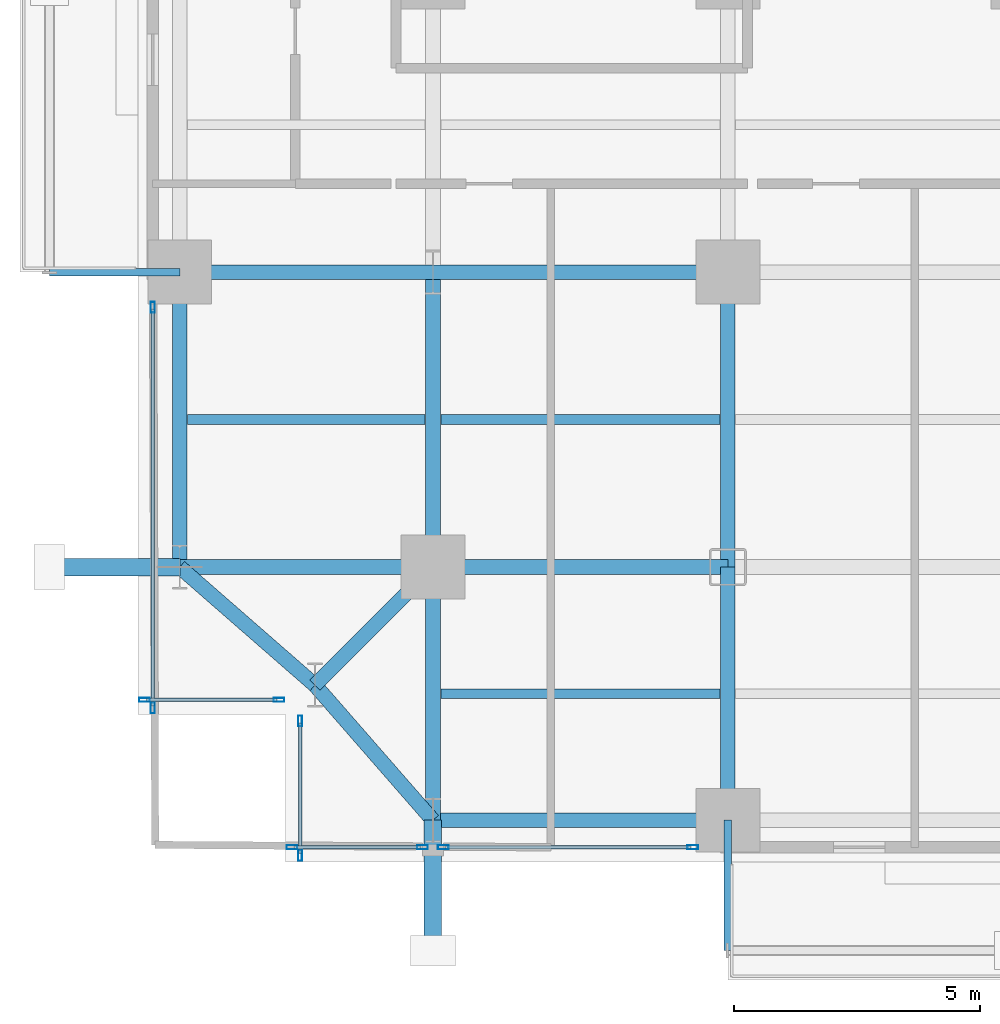
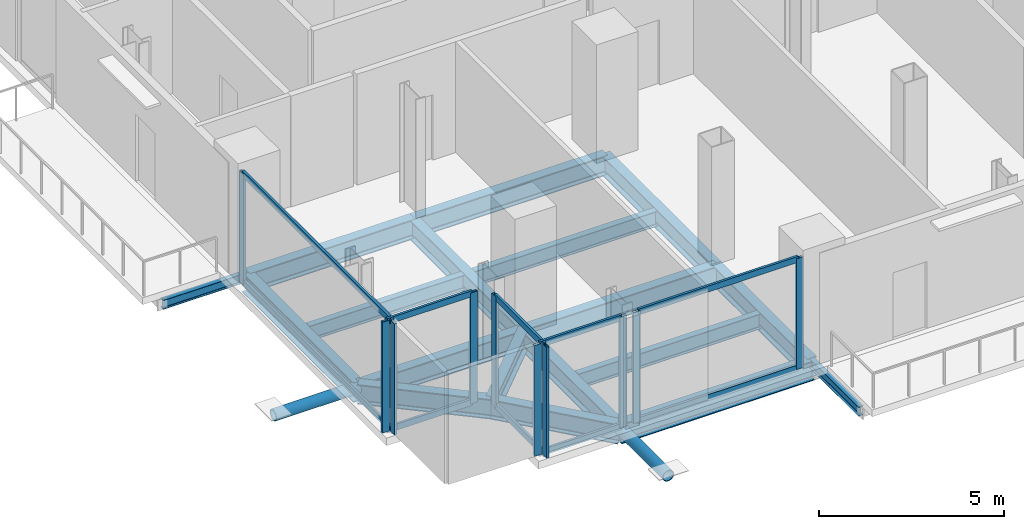
# One storey, part 2 of 25: 22 members, 18 beams, 5 elements without a shape of their own.
"""IFC4 building model written with IfcOpenShell, lengths in metres."""

from ifc_helpers import new_model, si_unit, direction, frame, origin, origin_2d, place, context, subcontext, project, spatial, hollow_rectangle, hollow_circle, i_section, extrude, material, layer, layer_set, material_profile, profile_set, type_object, element, aggregate, save


model = new_model("IFC4")

# Units and contexts
model_context = context("Model", 3, precision=1e-05, world=origin(), true_north=direction((0.0, 1.0)))
body_context = subcontext(model_context, "Body", "Model", "MODEL_VIEW")
ifc_project = project(units=[si_unit("LENGTHUNIT", "METRE"), si_unit("AREAUNIT", "SQUARE_METRE"), si_unit("VOLUMEUNIT", "CUBIC_METRE"), si_unit("PLANEANGLEUNIT", "RADIAN"), si_unit("MASSUNIT", "GRAM", prefix="KILO"), si_unit("THERMODYNAMICTEMPERATUREUNIT", "KELVIN"), si_unit("POWERUNIT", "WATT")], contexts=[model_context])

# Site, building, storey
site_placement = place(None, origin())
site = spatial("IfcSite", under=ifc_project, at=site_placement, CompositionType="ELEMENT")
building_placement = place(site_placement, origin())
building = spatial("IfcBuilding", under=site, at=building_placement, Name="Svarakhadi Broadcast Tower", CompositionType="ELEMENT")
storey_placement = place(building_placement, frame((0.0, 0.0, 63.60009765625)))
storey = spatial("IfcBuildingStorey", under=building, at=storey_placement, Name="L14", CompositionType="ELEMENT", Elevation=63.60009765625)

# Beams
ifc_material_1 = material(Name="Steel S355J2 (IS 2062 E350C)", Category="steel")
ifc_material_profile_1 = material_profile(ifc_material_1, i_section(OverallWidth=0.199951171875, OverallDepth=0.5, WebThickness=0.01025390625, FlangeThickness=0.01611328125, FilletRadius=0.02099609375, at=origin_2d()), Name="NPB 500x200x91")
ifc_profile_set_1 = profile_set([ifc_material_profile_1], Name="Steel S355J2 (IS 2062 E350C)")
beam_type_1 = type_object("IfcBeamType", Name="Beam_NPB500", PredefinedType="BEAM", material=ifc_profile_set_1)
beam_1_placement = place(storey_placement, frame((1.010009765625, 9.0, -0.5), z_axis=(1.0, 0.0, 0.0), x_axis=(0.0, 1.0, 0.0)))
element("IfcBeam", 1, at=beam_1_placement, inside=storey, type_object=beam_type_1, Name="L14 Secondary Composite Beam SB001", PredefinedType="BEAM", context=body_context, shape_type="SweptSolid", body=[
    extrude(i_section(OverallWidth=0.199951171875, OverallDepth=0.5, WebThickness=0.01025390625, FlangeThickness=0.01611328125, FilletRadius=0.02099609375, at=origin_2d()), origin(), (0.0, 0.0, 1.0), 4.830078125),
])
for number, where, z_axis, x_axis, name in (
    (2, (6.159912109375, 3.425048828125, -0.5), (1.0, 0.0, 0.0), (0.0, 1.0, 0.0), "L14 Secondary Composite Beam SB007"),
    (3, (6.159912109375, 9.0, -0.5), (1.0, 0.0, 0.0), (0.0, 1.0, 0.0), "L14 Secondary Composite Beam SB008"),
):
    element("IfcBeam", number, at=place(storey_placement, frame(where, z_axis=z_axis, x_axis=x_axis)), inside=storey, type_object=beam_type_1, Name=name, PredefinedType="BEAM", context=body_context, shape_type="SweptSolid", body=[
        extrude(i_section(OverallWidth=0.199951171875, OverallDepth=0.5, WebThickness=0.01025390625, FlangeThickness=0.01611328125, FilletRadius=0.02099609375, at=origin_2d()), origin(), (0.0, 0.0, 1.0), 5.68017578125),
    ])

# Curtain wall, members
ifc_material_2 = material(Name="Anodised Bronze Aluminium AA 6063-T6", Category="aluminium")
ifc_layer = layer(ifc_material_2, 0.219970703125)
ifc_layer_set = layer_set([ifc_layer], Name="Anodised Bronze Aluminium AA 6063-T6")
curtain_wall_type = type_object("IfcCurtainWallType", Name="CW_Sys_02", PredefinedType="NOTDEFINED", material=ifc_layer_set)
curtain_wall_1_placement = place(storey_placement, origin())
curtain_wall_1 = element("IfcCurtainWall", 4, at=curtain_wall_1_placement, inside=storey, type_object=curtain_wall_type, Name="L14 Unitised Facade Curtain Wall 01", PredefinedType="NOTDEFINED")
ifc_material_profile_2 = material_profile(ifc_material_2, hollow_rectangle(XDim=0.0849609375, YDim=0.219970703125, WallThickness=0.006103515625, at=origin_2d()), Name="ALU MULLION 220x85x6")
ifc_profile_set_2 = profile_set([ifc_material_profile_2], Name="Anodised Bronze Aluminium AA 6063-T6")
member_type_1 = type_object("IfcMemberType", Name="CW_Sys_02_Mul", PredefinedType="MULLION", material=ifc_profile_set_2)
member_1_placement = place(storey_placement, frame((2.867431640625, 3.300048828125, 0.0), z_axis=(0.0, 0.0, 1.0), x_axis=(0.0, -1.0, 0.0)))
member_1 = element("IfcMember", 5, at=member_1_placement, type_object=member_type_1, Name="CW-02 mullion 1", PredefinedType="MULLION", context=body_context, shape_type="SweptSolid", body=[
    extrude(hollow_rectangle(XDim=0.0849609375, YDim=0.219970703125, WallThickness=0.006103515625, at=origin_2d()), origin(), (0.0, 0.0, 1.0), 3.64990234375),
])
member_2_placement = place(storey_placement, frame((0.132568359375, 3.300048828125, 0.0), z_axis=(0.0, 0.0, 1.0), x_axis=(0.0, -1.0, 0.0)))
member_2 = element("IfcMember", 6, at=member_2_placement, type_object=member_type_1, Name="CW-02 mullion 2", PredefinedType="MULLION", context=body_context, shape_type="SweptSolid", body=[
    extrude(hollow_rectangle(XDim=0.0849609375, YDim=0.219970703125, WallThickness=0.006103515625, at=origin_2d()), origin(), (0.0, 0.0, 1.0), 3.64990234375),
])

curtain_wall_2_placement = place(storey_placement, origin())
curtain_wall_2 = element("IfcCurtainWall", 7, at=curtain_wall_2_placement, inside=storey, type_object=curtain_wall_type, Name="L14 West Curtain Wall 02", PredefinedType="NOTDEFINED")
member_3_placement = place(storey_placement, frame((0.300048828125, 3.132568359375, 0.0), z_axis=(0.0, 0.0, 1.0), x_axis=(-1.0, 0.0, 0.0)))
member_3 = element("IfcMember", 8, at=member_3_placement, type_object=member_type_1, Name="CW-02 mullion 1", PredefinedType="MULLION", context=body_context, shape_type="SweptSolid", body=[
    extrude(hollow_rectangle(XDim=0.0849609375, YDim=0.219970703125, WallThickness=0.006103515625, at=origin_2d()), origin(), (0.0, 0.0, 1.0), 3.64990234375),
])
member_4_placement = place(storey_placement, frame((0.300048828125, 11.28759765625, 0.0), z_axis=(0.0, 0.0, 1.0), x_axis=(-1.0, 0.0, 0.0)))
member_4 = element("IfcMember", 9, at=member_4_placement, type_object=member_type_1, Name="CW-02 mullion 2", PredefinedType="MULLION", context=body_context, shape_type="SweptSolid", body=[
    extrude(hollow_rectangle(XDim=0.0849609375, YDim=0.219970703125, WallThickness=0.006103515625, at=origin_2d()), origin(), (0.0, 0.0, 1.0), 3.64990234375),
])

curtain_wall_3_placement = place(storey_placement, origin())
curtain_wall_3 = element("IfcCurtainWall", 10, at=curtain_wall_3_placement, inside=storey, type_object=curtain_wall_type, Name="L14 South Curtain Wall 17 Bay 1", PredefinedType="NOTDEFINED")
member_5_placement = place(storey_placement, frame((11.28759765625, 0.300048828125, 0.0), z_axis=(0.0, 0.0, 1.0), x_axis=(0.0, -1.0, 0.0)))
member_5 = element("IfcMember", 11, at=member_5_placement, type_object=member_type_1, Name="CW-02 mullion 1", PredefinedType="MULLION", context=body_context, shape_type="SweptSolid", body=[
    extrude(hollow_rectangle(XDim=0.0849609375, YDim=0.219970703125, WallThickness=0.006103515625, at=origin_2d()), origin(), (0.0, 0.0, 1.0), 3.64990234375),
])
member_6_placement = place(storey_placement, frame((6.21240234375, 0.300048828125, 0.0), z_axis=(0.0, 0.0, 1.0), x_axis=(0.0, -1.0, 0.0)))
member_6 = element("IfcMember", 12, at=member_6_placement, type_object=member_type_1, Name="CW-02 mullion 2", PredefinedType="MULLION", context=body_context, shape_type="SweptSolid", body=[
    extrude(hollow_rectangle(XDim=0.0849609375, YDim=0.219970703125, WallThickness=0.006103515625, at=origin_2d()), origin(), (0.0, 0.0, 1.0), 3.64990234375),
])

curtain_wall_4_placement = place(storey_placement, origin())
curtain_wall_4 = element("IfcCurtainWall", 13, at=curtain_wall_4_placement, inside=storey, type_object=curtain_wall_type, Name="L14 South Curtain Wall 17 Bay 2", PredefinedType="NOTDEFINED")
member_7_placement = place(storey_placement, frame((5.78759765625, 0.300048828125, 0.0), z_axis=(0.0, 0.0, 1.0), x_axis=(0.0, -1.0, 0.0)))
member_7 = element("IfcMember", 14, at=member_7_placement, type_object=member_type_1, Name="CW-02 mullion 1", PredefinedType="MULLION", context=body_context, shape_type="SweptSolid", body=[
    extrude(hollow_rectangle(XDim=0.0849609375, YDim=0.219970703125, WallThickness=0.006103515625, at=origin_2d()), origin(), (0.0, 0.0, 1.0), 3.64990234375),
])
member_8_placement = place(storey_placement, frame((3.132568359375, 0.300048828125, 0.0), z_axis=(0.0, 0.0, 1.0), x_axis=(0.0, -1.0, 0.0)))
member_8 = element("IfcMember", 15, at=member_8_placement, type_object=member_type_1, Name="CW-02 mullion 2", PredefinedType="MULLION", context=body_context, shape_type="SweptSolid", body=[
    extrude(hollow_rectangle(XDim=0.0849609375, YDim=0.219970703125, WallThickness=0.006103515625, at=origin_2d()), origin(), (0.0, 0.0, 1.0), 3.64990234375),
])

curtain_wall_5_placement = place(storey_placement, origin())
curtain_wall_5 = element("IfcCurtainWall", 16, at=curtain_wall_5_placement, inside=storey, type_object=curtain_wall_type, Name="L14 Unitised Facade Curtain Wall 18", PredefinedType="NOTDEFINED")
member_9_placement = place(storey_placement, frame((3.300048828125, 0.132568359375, 0.0), z_axis=(0.0, 0.0, 1.0), x_axis=(-1.0, 0.0, 0.0)))
member_9 = element("IfcMember", 17, at=member_9_placement, type_object=member_type_1, Name="CW-02 mullion 1", PredefinedType="MULLION", context=body_context, shape_type="SweptSolid", body=[
    extrude(hollow_rectangle(XDim=0.0849609375, YDim=0.219970703125, WallThickness=0.006103515625, at=origin_2d()), origin(), (0.0, 0.0, 1.0), 3.64990234375),
])
member_10_placement = place(storey_placement, frame((3.300048828125, 2.867431640625, 0.0), z_axis=(0.0, 0.0, 1.0), x_axis=(-1.0, 0.0, 0.0)))
member_10 = element("IfcMember", 18, at=member_10_placement, type_object=member_type_1, Name="CW-02 mullion 2", PredefinedType="MULLION", context=body_context, shape_type="SweptSolid", body=[
    extrude(hollow_rectangle(XDim=0.0849609375, YDim=0.219970703125, WallThickness=0.006103515625, at=origin_2d()), origin(), (0.0, 0.0, 1.0), 3.64990234375),
])

# Member
ifc_material_profile_3 = material_profile(ifc_material_2, hollow_rectangle(XDim=0.074951171875, YDim=0.199951171875, WallThickness=0.0048828125, at=origin_2d()), Name="ALU TRANSOM 200x75x5")
ifc_profile_set_3 = profile_set([ifc_material_profile_3], Name="Anodised Bronze Aluminium AA 6063-T6")
member_type_2 = type_object("IfcMemberType", Name="CW_Sys_02_Trn", PredefinedType="USERDEFINED", material=ifc_profile_set_3)
member_11_placement = place(storey_placement, frame((2.824951171875, 3.300048828125, 0.037353515625), z_axis=(-1.0, 0.0, 0.0), x_axis=(0.0, -1.0, 0.0)))
member_11 = element("IfcMember", 19, at=member_11_placement, type_object=member_type_2, Name="CW-02 transom 1.1", ObjectType="TRANSOM", PredefinedType="USERDEFINED", context=body_context, shape_type="SweptSolid", body=[
    extrude(hollow_rectangle(XDim=0.074951171875, YDim=0.199951171875, WallThickness=0.0048828125, at=origin_2d()), origin(), (0.0, 0.0, 1.0), 2.64990234375),
])

member_12_placement = place(storey_placement, frame((2.824951171875, 3.300048828125, 3.6123046875), z_axis=(-1.0, 0.0, 0.0), x_axis=(0.0, -1.0, 0.0)))
member_12 = element("IfcMember", 20, at=member_12_placement, type_object=member_type_2, Name="CW-02 transom 1.2", ObjectType="TRANSOM", PredefinedType="USERDEFINED", context=body_context, shape_type="SweptSolid", body=[
    extrude(hollow_rectangle(XDim=0.074951171875, YDim=0.199951171875, WallThickness=0.0048828125, at=origin_2d()), origin(), (0.0, 0.0, 1.0), 2.64990234375),
])

aggregate(curtain_wall_1, [member_1, member_2, member_11, member_12])

member_13_placement = place(storey_placement, frame((0.300048828125, 3.175048828125, 0.037353515625), z_axis=(0.0, 1.0, 0.0), x_axis=(-1.0, 0.0, 0.0)))
member_13 = element("IfcMember", 21, at=member_13_placement, type_object=member_type_2, Name="CW-02 transom 1.1", ObjectType="TRANSOM", PredefinedType="USERDEFINED", context=body_context, shape_type="SweptSolid", body=[
    extrude(hollow_rectangle(XDim=0.074951171875, YDim=0.199951171875, WallThickness=0.0048828125, at=origin_2d()), origin(), (0.0, 0.0, 1.0), 8.070068359375),
])

member_14_placement = place(storey_placement, frame((0.300048828125, 3.175048828125, 3.6123046875), z_axis=(0.0, 1.0, 0.0), x_axis=(-1.0, 0.0, 0.0)))
member_14 = element("IfcMember", 22, at=member_14_placement, type_object=member_type_2, Name="CW-02 transom 1.2", ObjectType="TRANSOM", PredefinedType="USERDEFINED", context=body_context, shape_type="SweptSolid", body=[
    extrude(hollow_rectangle(XDim=0.074951171875, YDim=0.199951171875, WallThickness=0.0048828125, at=origin_2d()), origin(), (0.0, 0.0, 1.0), 8.070068359375),
])

aggregate(curtain_wall_2, [member_3, member_4, member_13, member_14])

member_15_placement = place(storey_placement, frame((11.2451171875, 0.300048828125, 0.037353515625), z_axis=(-1.0, 0.0, 0.0), x_axis=(0.0, -1.0, 0.0)))
member_15 = element("IfcMember", 23, at=member_15_placement, type_object=member_type_2, Name="CW-02 transom 1.1", ObjectType="TRANSOM", PredefinedType="USERDEFINED", context=body_context, shape_type="SweptSolid", body=[
    extrude(hollow_rectangle(XDim=0.074951171875, YDim=0.199951171875, WallThickness=0.0048828125, at=origin_2d()), origin(), (0.0, 0.0, 1.0), 4.990234375),
])

member_16_placement = place(storey_placement, frame((11.2451171875, 0.300048828125, 3.6123046875), z_axis=(-1.0, 0.0, 0.0), x_axis=(0.0, -1.0, 0.0)))
member_16 = element("IfcMember", 24, at=member_16_placement, type_object=member_type_2, Name="CW-02 transom 1.2", ObjectType="TRANSOM", PredefinedType="USERDEFINED", context=body_context, shape_type="SweptSolid", body=[
    extrude(hollow_rectangle(XDim=0.074951171875, YDim=0.199951171875, WallThickness=0.0048828125, at=origin_2d()), origin(), (0.0, 0.0, 1.0), 4.990234375),
])

aggregate(curtain_wall_3, [member_5, member_6, member_15, member_16])

member_17_placement = place(storey_placement, frame((5.7451171875, 0.300048828125, 0.037353515625), z_axis=(-1.0, 0.0, 0.0), x_axis=(0.0, -1.0, 0.0)))
member_17 = element("IfcMember", 25, at=member_17_placement, type_object=member_type_2, Name="CW-02 transom 1.1", ObjectType="TRANSOM", PredefinedType="USERDEFINED", context=body_context, shape_type="SweptSolid", body=[
    extrude(hollow_rectangle(XDim=0.074951171875, YDim=0.199951171875, WallThickness=0.0048828125, at=origin_2d()), origin(), (0.0, 0.0, 1.0), 2.570068359375),
])

member_18_placement = place(storey_placement, frame((5.7451171875, 0.300048828125, 3.6123046875), z_axis=(-1.0, 0.0, 0.0), x_axis=(0.0, -1.0, 0.0)))
member_18 = element("IfcMember", 26, at=member_18_placement, type_object=member_type_2, Name="CW-02 transom 1.2", ObjectType="TRANSOM", PredefinedType="USERDEFINED", context=body_context, shape_type="SweptSolid", body=[
    extrude(hollow_rectangle(XDim=0.074951171875, YDim=0.199951171875, WallThickness=0.0048828125, at=origin_2d()), origin(), (0.0, 0.0, 1.0), 2.570068359375),
])

aggregate(curtain_wall_4, [member_7, member_8, member_17, member_18])

member_19_placement = place(storey_placement, frame((3.300048828125, 0.175048828125, 0.037353515625), z_axis=(0.0, 1.0, 0.0), x_axis=(-1.0, 0.0, 0.0)))
member_19 = element("IfcMember", 27, at=member_19_placement, type_object=member_type_2, Name="CW-02 transom 1.1", ObjectType="TRANSOM", PredefinedType="USERDEFINED", context=body_context, shape_type="SweptSolid", body=[
    extrude(hollow_rectangle(XDim=0.074951171875, YDim=0.199951171875, WallThickness=0.0048828125, at=origin_2d()), origin(), (0.0, 0.0, 1.0), 2.64990234375),
])

member_20_placement = place(storey_placement, frame((3.300048828125, 0.175048828125, 3.6123046875), z_axis=(0.0, 1.0, 0.0), x_axis=(-1.0, 0.0, 0.0)))
member_20 = element("IfcMember", 28, at=member_20_placement, type_object=member_type_2, Name="CW-02 transom 1.2", ObjectType="TRANSOM", PredefinedType="USERDEFINED", context=body_context, shape_type="SweptSolid", body=[
    extrude(hollow_rectangle(XDim=0.074951171875, YDim=0.199951171875, WallThickness=0.0048828125, at=origin_2d()), origin(), (0.0, 0.0, 1.0), 2.64990234375),
])

aggregate(curtain_wall_5, [member_9, member_10, member_19, member_20])

# Members
ifc_material_3 = material(Name="Steel S460ML (IS 2062 E450BR)", Category="steel")
ifc_material_profile_4 = material_profile(ifc_material_3, hollow_circle(Radius=0.177734375, WallThickness=0.02001953125, at=origin_2d()), Name="CHS 355.6x20")
ifc_profile_set_4 = profile_set([ifc_material_profile_4], Name="Steel S460ML (IS 2062 E450BR)")
member_type_3 = type_object("IfcMemberType", Name="Exo_Radial_Strut_Z1", PredefinedType="STRUT", material=ifc_profile_set_4)
for number, where, z_axis, x_axis, name in (
    (29, (6.0, -1.800048828125, -0.427978515625), (0.0, 1.0, 0.0), (-1.0, 0.0, 0.0), "L14 Exoskeleton Radial Tie Strut S01"),
    (30, (-1.800048828125, 6.0, -0.427978515625), (1.0, 0.0, 0.0), (0.0, 1.0, 0.0), "L14 Exoskeleton Radial Tie Strut W05"),
):
    element("IfcMember", number, at=place(storey_placement, frame(where, z_axis=z_axis, x_axis=x_axis)), inside=storey, type_object=member_type_3, Name=name, PredefinedType="STRUT", context=body_context, shape_type="SweptSolid", body=[
        extrude(hollow_circle(Radius=0.177734375, WallThickness=0.02001953125, at=origin_2d()), origin(), (0.0, 0.0, 1.0), 2.650146484375),
    ])

# Beams
ifc_material_profile_5 = material_profile(ifc_material_1, i_section(OverallWidth=0.300048828125, OverallDepth=0.64990234375, WebThickness=0.01611328125, FlangeThickness=0.031005859375, FilletRadius=0.027099609375, at=origin_2d()), Name="WPB 650x300x225")
ifc_profile_set_5 = profile_set([ifc_material_profile_5], Name="Steel S355J2 (IS 2062 E350C)")
beam_type_2 = type_object("IfcBeamType", Name="Girder_WPB650", PredefinedType="USERDEFINED", material=ifc_profile_set_5)
beam_2_placement = place(storey_placement, frame((3.60009765625, 3.60009765625, -0.5751953125), z_axis=(0.707106781187, 0.707106781187, 0.0), x_axis=(-0.707106781187, 0.707106781187, 0.0)))
element("IfcBeam", 31, at=beam_2_placement, inside=storey, type_object=beam_type_2, Name="L14 Corner Tie Girder G001", ObjectType="GIRDER", PredefinedType="USERDEFINED", context=body_context, shape_type="SweptSolid", body=[
    extrude(i_section(OverallWidth=0.300048828125, OverallDepth=0.64990234375, WebThickness=0.01611328125, FlangeThickness=0.031005859375, FilletRadius=0.027099609375, at=origin_2d()), origin(), (0.0, 0.0, 1.0), 3.39404296875),
])
for number, where, z_axis, x_axis, name in (
    (32, (3.60009765625, 3.60009765625, -0.5751953125), (-0.753437912176, 0.657519058655, 0.0), (-0.657519058655, -0.753437912176, 0.0), "L14 Corner Tie Girder G002"),
    (33, (3.60009765625, 3.60009765625, -0.5751953125), (0.657519058655, -0.753437912176, 0.0), (0.753437912176, 0.657519058655, 0.0), "L14 Corner Tie Girder G003"),
):
    element("IfcBeam", number, at=place(storey_placement, frame(where, z_axis=z_axis, x_axis=x_axis)), inside=storey, type_object=beam_type_2, Name=name, ObjectType="GIRDER", PredefinedType="USERDEFINED", context=body_context, shape_type="SweptSolid", body=[
        extrude(i_section(OverallWidth=0.300048828125, OverallDepth=0.64990234375, WebThickness=0.01611328125, FlangeThickness=0.031005859375, FilletRadius=0.027099609375, at=origin_2d()), origin(), (0.0, 0.0, 1.0), 3.64990234375),
    ])
beam_3_placement = place(storey_placement, frame((6.0, 0.85009765625, -0.5751953125), z_axis=(1.0, 0.0, 0.0), x_axis=(0.0, 1.0, 0.0)))
element("IfcBeam", 34, at=beam_3_placement, inside=storey, type_object=beam_type_2, Name="L14 Primary E-W Girder G004", ObjectType="GIRDER", PredefinedType="USERDEFINED", context=body_context, shape_type="SweptSolid", body=[
    extrude(i_section(OverallWidth=0.300048828125, OverallDepth=0.64990234375, WebThickness=0.01611328125, FlangeThickness=0.031005859375, FilletRadius=0.027099609375, at=origin_2d()), origin(), (0.0, 0.0, 1.0), 6.0),
])
beam_4_placement = place(storey_placement, frame((0.85009765625, 6.0, -0.5751953125), z_axis=(1.0, 0.0, 0.0), x_axis=(0.0, 1.0, 0.0)))
element("IfcBeam", 35, at=beam_4_placement, inside=storey, type_object=beam_type_2, Name="L14 Primary E-W Girder G011", ObjectType="GIRDER", PredefinedType="USERDEFINED", context=body_context, shape_type="SweptSolid", body=[
    extrude(i_section(OverallWidth=0.300048828125, OverallDepth=0.64990234375, WebThickness=0.01611328125, FlangeThickness=0.031005859375, FilletRadius=0.027099609375, at=origin_2d()), origin(), (0.0, 0.0, 1.0), 5.14990234375),
])
beam_5_placement = place(storey_placement, frame((6.0, 6.0, -0.5751953125), z_axis=(1.0, 0.0, 0.0), x_axis=(0.0, 1.0, 0.0)))
element("IfcBeam", 36, at=beam_5_placement, inside=storey, type_object=beam_type_2, Name="L14 Primary E-W Girder G012", ObjectType="GIRDER", PredefinedType="USERDEFINED", context=body_context, shape_type="SweptSolid", body=[
    extrude(i_section(OverallWidth=0.300048828125, OverallDepth=0.64990234375, WebThickness=0.01611328125, FlangeThickness=0.031005859375, FilletRadius=0.027099609375, at=origin_2d()), origin(), (0.0, 0.0, 1.0), 6.0),
])
beam_6_placement = place(storey_placement, frame((0.85009765625, 12.0, -0.5751953125), z_axis=(1.0, 0.0, 0.0), x_axis=(0.0, 1.0, 0.0)))
element("IfcBeam", 37, at=beam_6_placement, inside=storey, type_object=beam_type_2, Name="L14 Primary E-W Girder G019", ObjectType="GIRDER", PredefinedType="USERDEFINED", context=body_context, shape_type="SweptSolid", body=[
    extrude(i_section(OverallWidth=0.300048828125, OverallDepth=0.64990234375, WebThickness=0.01611328125, FlangeThickness=0.031005859375, FilletRadius=0.027099609375, at=origin_2d()), origin(), (0.0, 0.0, 1.0), 5.14990234375),
])
for number, where, z_axis, x_axis, name in (
    (38, (6.0, 12.0, -0.5751953125), (1.0, 0.0, 0.0), (0.0, 1.0, 0.0), "L14 Primary E-W Girder G020"),
    (39, (0.85009765625, 6.0, -0.5751953125), (0.0, 1.0, 0.0), (-1.0, 0.0, 0.0), "L14 Primary N-S Girder G045"),
):
    element("IfcBeam", number, at=place(storey_placement, frame(where, z_axis=z_axis, x_axis=x_axis)), inside=storey, type_object=beam_type_2, Name=name, ObjectType="GIRDER", PredefinedType="USERDEFINED", context=body_context, shape_type="SweptSolid", body=[
        extrude(i_section(OverallWidth=0.300048828125, OverallDepth=0.64990234375, WebThickness=0.01611328125, FlangeThickness=0.031005859375, FilletRadius=0.027099609375, at=origin_2d()), origin(), (0.0, 0.0, 1.0), 6.0),
    ])
beam_7_placement = place(storey_placement, frame((6.0, 0.85009765625, -0.5751953125), z_axis=(0.0, 1.0, 0.0), x_axis=(-1.0, 0.0, 0.0)))
element("IfcBeam", 40, at=beam_7_placement, inside=storey, type_object=beam_type_2, Name="L14 Primary N-S Girder G051", ObjectType="GIRDER", PredefinedType="USERDEFINED", context=body_context, shape_type="SweptSolid", body=[
    extrude(i_section(OverallWidth=0.300048828125, OverallDepth=0.64990234375, WebThickness=0.01611328125, FlangeThickness=0.031005859375, FilletRadius=0.027099609375, at=origin_2d()), origin(), (0.0, 0.0, 1.0), 5.14990234375),
])
beam_8_placement = place(storey_placement, frame((6.0, 6.0, -0.5751953125), z_axis=(0.0, 1.0, 0.0), x_axis=(-1.0, 0.0, 0.0)))
element("IfcBeam", 41, at=beam_8_placement, inside=storey, type_object=beam_type_2, Name="L14 Primary N-S Girder G052", ObjectType="GIRDER", PredefinedType="USERDEFINED", context=body_context, shape_type="SweptSolid", body=[
    extrude(i_section(OverallWidth=0.300048828125, OverallDepth=0.64990234375, WebThickness=0.01611328125, FlangeThickness=0.031005859375, FilletRadius=0.027099609375, at=origin_2d()), origin(), (0.0, 0.0, 1.0), 6.0),
])
beam_9_placement = place(storey_placement, frame((12.0, 0.85009765625, -0.5751953125), z_axis=(0.0, 1.0, 0.0), x_axis=(-1.0, 0.0, 0.0)))
element("IfcBeam", 42, at=beam_9_placement, inside=storey, type_object=beam_type_2, Name="L14 Primary N-S Girder G058", ObjectType="GIRDER", PredefinedType="USERDEFINED", context=body_context, shape_type="SweptSolid", body=[
    extrude(i_section(OverallWidth=0.300048828125, OverallDepth=0.64990234375, WebThickness=0.01611328125, FlangeThickness=0.031005859375, FilletRadius=0.027099609375, at=origin_2d()), origin(), (0.0, 0.0, 1.0), 5.14990234375),
])
beam_10_placement = place(storey_placement, frame((12.0, 6.0, -0.5751953125), z_axis=(0.0, 1.0, 0.0), x_axis=(-1.0, 0.0, 0.0)))
element("IfcBeam", 43, at=beam_10_placement, inside=storey, type_object=beam_type_2, Name="L14 Primary N-S Girder G059", ObjectType="GIRDER", PredefinedType="USERDEFINED", context=body_context, shape_type="SweptSolid", body=[
    extrude(i_section(OverallWidth=0.300048828125, OverallDepth=0.64990234375, WebThickness=0.01611328125, FlangeThickness=0.031005859375, FilletRadius=0.027099609375, at=origin_2d()), origin(), (0.0, 0.0, 1.0), 6.0),
])
ifc_material_profile_6 = material_profile(ifc_material_1, i_section(OverallWidth=0.14990234375, OverallDepth=0.300048828125, WebThickness=0.007080078125, FlangeThickness=0.0107421875, FilletRadius=0.014892578125, at=origin_2d()), Name="NPB 300x150x37")
ifc_profile_set_6 = profile_set([ifc_material_profile_6], Name="Steel S355J2 (IS 2062 E350C)")
beam_type_3 = type_object("IfcBeamType", Name="Spandrel_NPB300", PredefinedType="SPANDREL", material=ifc_profile_set_6)
for number, where, z_axis, x_axis, name in (
    (44, (12.0, 0.85009765625, -0.400146484375), (0.0, -1.0, 0.0), (1.0, 0.0, 0.0), "L14 Balcony Cantilever Bracket 1A"),
    (45, (0.85009765625, 12.0, -0.400146484375), (-1.0, 0.0, 0.0), (0.0, -1.0, 0.0), "L14 Balcony Cantilever Bracket 2A"),
):
    element("IfcBeam", number, at=place(storey_placement, frame(where, z_axis=z_axis, x_axis=x_axis)), inside=storey, type_object=beam_type_3, Name=name, PredefinedType="SPANDREL", context=body_context, shape_type="SweptSolid", body=[
        extrude(i_section(OverallWidth=0.14990234375, OverallDepth=0.300048828125, WebThickness=0.007080078125, FlangeThickness=0.0107421875, FilletRadius=0.014892578125, at=origin_2d()), origin(), (0.0, 0.0, 1.0), 2.650146484375),
    ])

save(model, "model.ifc")
